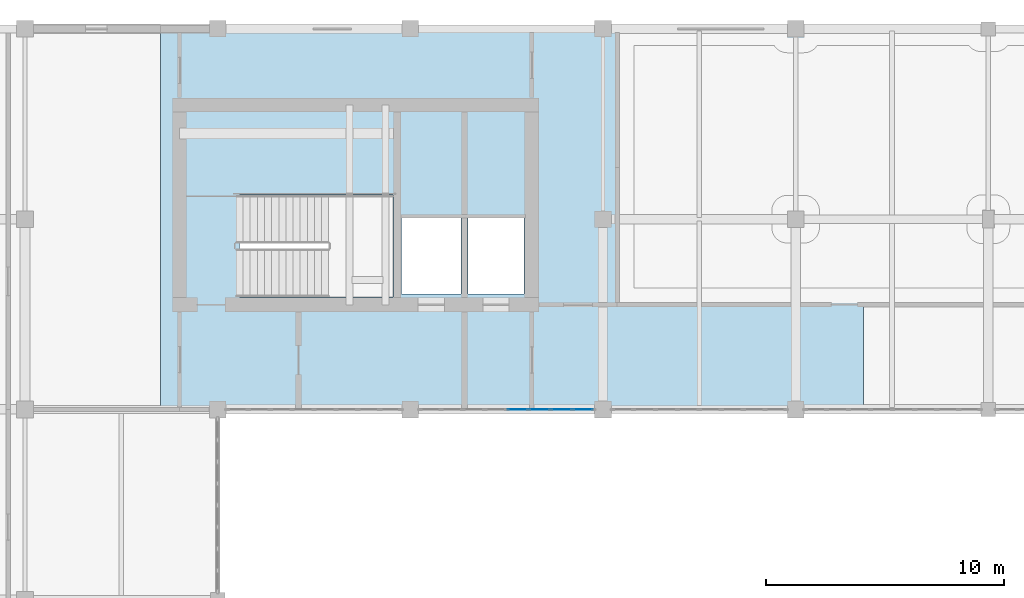
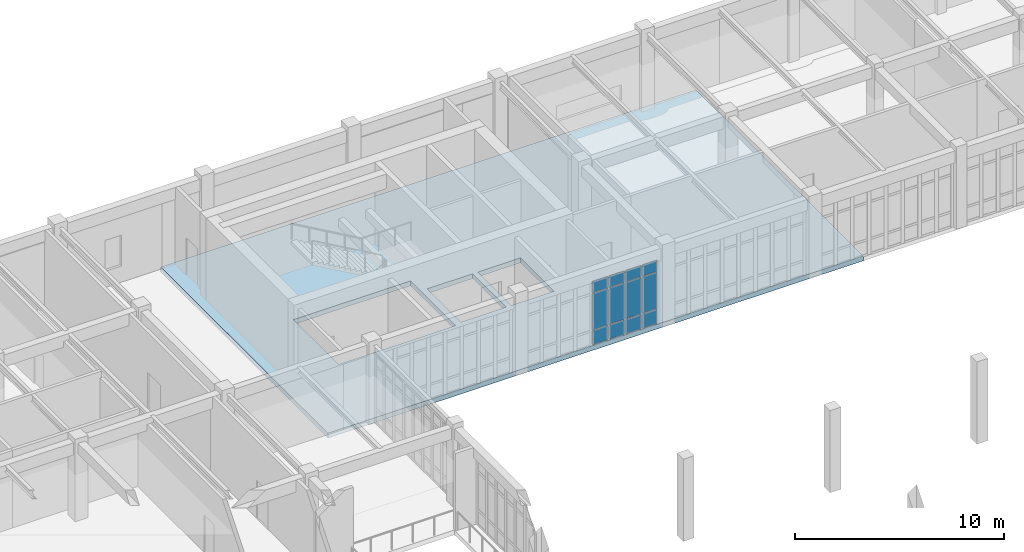
# One storey, part 36 of 61: 12 plates, 1 slab, 1 element without a shape of its own.
"""IFC4 building model written with IfcOpenShell, lengths in metres."""

from ifc_helpers import new_model, si_unit, direction, frame, origin, origin_2d, place, context, subcontext, project, spatial, polyline, rectangle, outline, extrude, material, layer, layer_set, type_object, element, aggregate, save


model = new_model("IFC4")

# Units and contexts
model_context = context("Model", 3, precision=1e-05, world=origin(), true_north=direction((0.0, 1.0)))
body_context = subcontext(model_context, "Body", "Model", "MODEL_VIEW")
ifc_project = project(units=[si_unit("LENGTHUNIT", "METRE"), si_unit("AREAUNIT", "SQUARE_METRE"), si_unit("VOLUMEUNIT", "CUBIC_METRE"), si_unit("PLANEANGLEUNIT", "RADIAN"), si_unit("MASSUNIT", "GRAM", prefix="KILO")], contexts=[model_context])

# Site, building, storey
site_placement = place(None, origin())
site = spatial("IfcSite", under=ifc_project, at=site_placement, CompositionType="ELEMENT")
building_placement = place(site_placement, origin())
building = spatial("IfcBuilding", under=site, at=building_placement, Name="Tarnveldt Square Police Headquarters", CompositionType="ELEMENT")
storey_placement = place(building_placement, frame((0.0, 0.0, 5.39990234375)))
storey = spatial("IfcBuildingStorey", under=building, at=storey_placement, Name="L01", CompositionType="ELEMENT", Elevation=5.39990234375)

# Curtain wall, plates
ifc_material_1 = material(Name="Triple-glazed low-e laminated vision glass", Category="glass")
curtain_wall_type = type_object("IfcCurtainWallType", Name="CW-LB-737x381", PredefinedType="USERDEFINED", material=ifc_material_1)
curtain_wall_placement = place(storey_placement, origin())
curtain_wall = element("IfcCurtainWall", 1, at=curtain_wall_placement, inside=storey, type_object=curtain_wall_type, Name="L01 Curtain Wall CW-L01-106", ObjectType="GLAZED CURTAIN WALL", PredefinedType="USERDEFINED")
ifc_layer_1 = layer(ifc_material_1, 0.028076171875)
ifc_layer_set_1 = layer_set([ifc_layer_1], Name="Triple-glazed low-e laminated vision glass")
plate_type = type_object("IfcPlateType", Name="CWP-VIS-28", PredefinedType="CURTAIN_PANEL", material=ifc_layer_set_1)
plate_1_placement = place(storey_placement, frame((61.210693359375, 96.0, 0.06494140625), z_axis=(0.0, 0.0, 1.0), x_axis=(1.0, 0.0, 0.0)))
plate_1 = element("IfcPlate", 2, at=plate_1_placement, type_object=plate_type, Name="CW-LB60 panel 5.1", PredefinedType="CURTAIN_PANEL", context=body_context, shape_type="SweptSolid", body=[
    extrude(rectangle(XDim=0.84619140625, YDim=0.028076171875, at=origin_2d()), origin(), (0.0, 0.0, 1.0), 0.802490234375),
])
plate_2_placement = place(storey_placement, frame((61.210693359375, 96.0, 0.9326171875), z_axis=(0.0, 0.0, 1.0), x_axis=(1.0, 0.0, 0.0)))
plate_2 = element("IfcPlate", 3, at=plate_2_placement, type_object=plate_type, Name="CW-LB60 panel 5.2", PredefinedType="CURTAIN_PANEL", context=body_context, shape_type="SweptSolid", body=[
    extrude(rectangle(XDim=0.84619140625, YDim=0.028076171875, at=origin_2d()), origin(), (0.0, 0.0, 1.0), 2.096923828125),
])
plate_3_placement = place(storey_placement, frame((61.210693359375, 96.0, 3.0947265625), z_axis=(0.0, 0.0, 1.0), x_axis=(1.0, 0.0, 0.0)))
plate_3 = element("IfcPlate", 4, at=plate_3_placement, type_object=plate_type, Name="CW-LB60 panel 5.3", PredefinedType="CURTAIN_PANEL", context=body_context, shape_type="SweptSolid", body=[
    extrude(rectangle(XDim=0.84619140625, YDim=0.028076171875, at=origin_2d()), origin(), (0.0, 0.0, 1.0), 0.652587890625),
])
plate_4_placement = place(storey_placement, frame((62.1318359375, 96.0, 0.06494140625), z_axis=(0.0, 0.0, 1.0), x_axis=(1.0, 0.0, 0.0)))
plate_4 = element("IfcPlate", 5, at=plate_4_placement, type_object=plate_type, Name="CW-LB60 panel 6.1", PredefinedType="CURTAIN_PANEL", context=body_context, shape_type="SweptSolid", body=[
    extrude(rectangle(XDim=0.84619140625, YDim=0.028076171875, at=origin_2d()), origin(), (0.0, 0.0, 1.0), 0.802490234375),
])
plate_5_placement = place(storey_placement, frame((62.1318359375, 96.0, 0.9326171875), z_axis=(0.0, 0.0, 1.0), x_axis=(1.0, 0.0, 0.0)))
plate_5 = element("IfcPlate", 6, at=plate_5_placement, type_object=plate_type, Name="CW-LB60 panel 6.2", PredefinedType="CURTAIN_PANEL", context=body_context, shape_type="SweptSolid", body=[
    extrude(rectangle(XDim=0.84619140625, YDim=0.028076171875, at=origin_2d()), origin(), (0.0, 0.0, 1.0), 2.096923828125),
])
plate_6_placement = place(storey_placement, frame((62.1318359375, 96.0, 3.0947265625), z_axis=(0.0, 0.0, 1.0), x_axis=(1.0, 0.0, 0.0)))
plate_6 = element("IfcPlate", 7, at=plate_6_placement, type_object=plate_type, Name="CW-LB60 panel 6.3", PredefinedType="CURTAIN_PANEL", context=body_context, shape_type="SweptSolid", body=[
    extrude(rectangle(XDim=0.84619140625, YDim=0.028076171875, at=origin_2d()), origin(), (0.0, 0.0, 1.0), 0.652587890625),
])
plate_7_placement = place(storey_placement, frame((63.05322265625, 96.0, 0.06494140625), z_axis=(0.0, 0.0, 1.0), x_axis=(1.0, 0.0, 0.0)))
plate_7 = element("IfcPlate", 8, at=plate_7_placement, type_object=plate_type, Name="CW-LB60 panel 7.1", PredefinedType="CURTAIN_PANEL", context=body_context, shape_type="SweptSolid", body=[
    extrude(rectangle(XDim=0.84619140625, YDim=0.028076171875, at=origin_2d()), origin(), (0.0, 0.0, 1.0), 0.802490234375),
])
plate_8_placement = place(storey_placement, frame((63.05322265625, 96.0, 0.9326171875), z_axis=(0.0, 0.0, 1.0), x_axis=(1.0, 0.0, 0.0)))
plate_8 = element("IfcPlate", 9, at=plate_8_placement, type_object=plate_type, Name="CW-LB60 panel 7.2", PredefinedType="CURTAIN_PANEL", context=body_context, shape_type="SweptSolid", body=[
    extrude(rectangle(XDim=0.84619140625, YDim=0.028076171875, at=origin_2d()), origin(), (0.0, 0.0, 1.0), 2.096923828125),
])
plate_9_placement = place(storey_placement, frame((63.05322265625, 96.0, 3.0947265625), z_axis=(0.0, 0.0, 1.0), x_axis=(1.0, 0.0, 0.0)))
plate_9 = element("IfcPlate", 10, at=plate_9_placement, type_object=plate_type, Name="CW-LB60 panel 7.3", PredefinedType="CURTAIN_PANEL", context=body_context, shape_type="SweptSolid", body=[
    extrude(rectangle(XDim=0.84619140625, YDim=0.028076171875, at=origin_2d()), origin(), (0.0, 0.0, 1.0), 0.652587890625),
])
plate_10_placement = place(storey_placement, frame((63.95556640625, 96.0, 0.06494140625), z_axis=(0.0, 0.0, 1.0), x_axis=(1.0, 0.0, 0.0)))
plate_10 = element("IfcPlate", 11, at=plate_10_placement, type_object=plate_type, Name="CW-LB60 panel 8.1", PredefinedType="CURTAIN_PANEL", context=body_context, shape_type="SweptSolid", body=[
    extrude(rectangle(XDim=0.808837890625, YDim=0.028076171875, at=origin_2d()), origin(), (0.0, 0.0, 1.0), 0.802490234375),
])
plate_11_placement = place(storey_placement, frame((63.95556640625, 96.0, 0.9326171875), z_axis=(0.0, 0.0, 1.0), x_axis=(1.0, 0.0, 0.0)))
plate_11 = element("IfcPlate", 12, at=plate_11_placement, type_object=plate_type, Name="CW-LB60 panel 8.2", PredefinedType="CURTAIN_PANEL", context=body_context, shape_type="SweptSolid", body=[
    extrude(rectangle(XDim=0.808837890625, YDim=0.028076171875, at=origin_2d()), origin(), (0.0, 0.0, 1.0), 2.096923828125),
])
plate_12_placement = place(storey_placement, frame((63.95556640625, 96.0, 3.0947265625), z_axis=(0.0, 0.0, 1.0), x_axis=(1.0, 0.0, 0.0)))
plate_12 = element("IfcPlate", 13, at=plate_12_placement, type_object=plate_type, Name="CW-LB60 panel 8.3", PredefinedType="CURTAIN_PANEL", context=body_context, shape_type="SweptSolid", body=[
    extrude(rectangle(XDim=0.808837890625, YDim=0.028076171875, at=origin_2d()), origin(), (0.0, 0.0, 1.0), 0.652587890625),
])
aggregate(curtain_wall, [plate_1, plate_2, plate_3, plate_4, plate_5, plate_6, plate_7, plate_8, plate_9, plate_10, plate_11, plate_12])

# Slab
ifc_material_2 = material(Name="Concrete 40 MPa", Category="concrete")
ifc_layer_2 = layer(ifc_material_2, 0.280029296875)
ifc_layer_set_2 = layer_set([ifc_layer_2], Name="Concrete 40 MPa")
slab_type = type_object("IfcSlabType", Name="SL-POD-280", PredefinedType="FLOOR", material=ifc_layer_set_2)
slab_placement = place(storey_placement, frame((0.0, 0.0, -0.27978515625)))
element("IfcSlab", 14, at=slab_placement, inside=storey, type_object=slab_type, Name="L01 Structural Floor Slab L01-V6-1", PredefinedType="FLOOR", context=body_context, shape_type="SweptSolid", body=[
    extrude(outline(polyline([(75.75, 112.0), (75.75, 96.0), (46.199951171875, 96.0), (46.199951171875, 112.0), (75.75, 112.0)]), holes=[polyline([(56.330078125, 104.050048828125), (56.330078125, 100.85009765625), (58.8349609375, 100.85009765625), (58.8349609375, 104.050048828125), (56.330078125, 104.050048828125)]), polyline([(49.510009765625, 105.02001953125), (49.510009765625, 100.719970703125), (55.969970703125, 100.719970703125), (55.969970703125, 105.02001953125), (49.510009765625, 105.02001953125)]), polyline([(61.47998046875, 104.050048828125), (59.114990234375, 104.050048828125), (59.114990234375, 100.85009765625), (61.47998046875, 100.85009765625), (61.47998046875, 104.050048828125)])]), origin(), (0.0, 0.0, 1.0), 0.27978515625),
])

save(model, "model.ifc")
